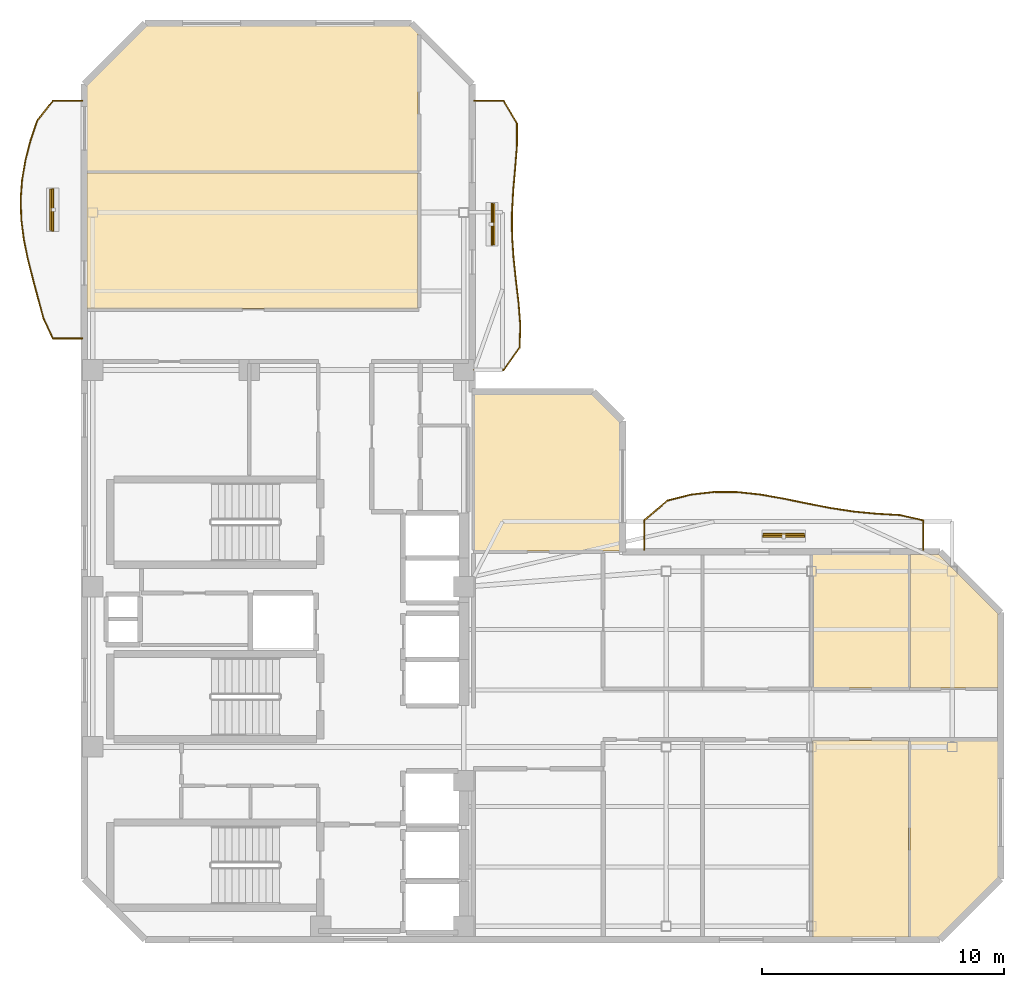
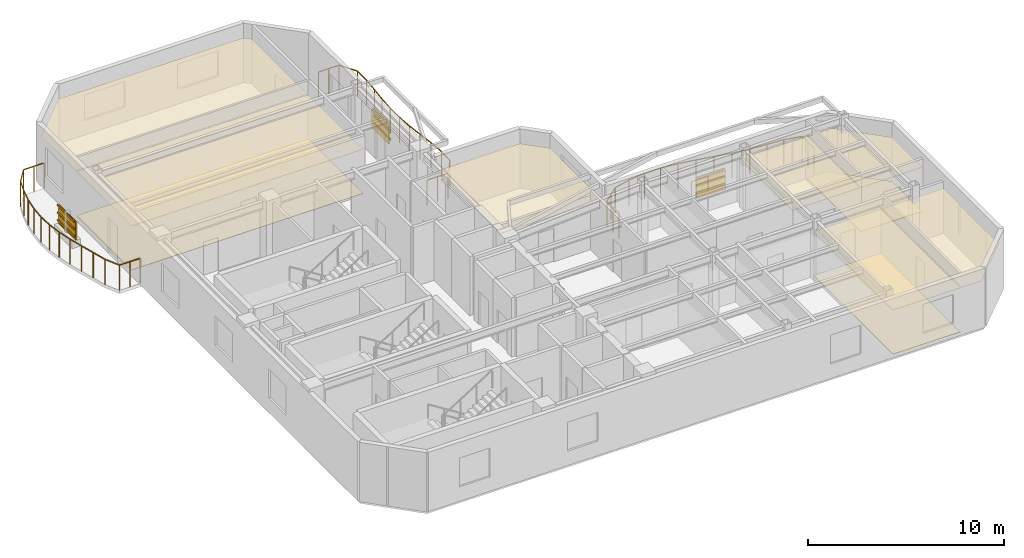
# One storey, part 8 of 8: 12 shading devices, 10 coverings, 3 railings.
"""IFC4 building model written with IfcOpenShell, lengths in metres."""

import ifcopenshell
import ifcopenshell.guid

model = None  # the IFC model being written
_history = None  # IfcOwnerHistory: only IFC2X3 demands one
_inside = {}  # id of a spatial element -> (the spatial element, [elements in it])
_under = {}  # id of a project, library or spatial element -> (it, [spatial elements below it])
_declared = {}  # id of a project -> (the project, [libraries it declares])
_typed = {}  # id of a type object -> (the type object, [elements of that type])
_made_of = {}  # id of a material, layer set ... -> (it, [elements and type objects made of it])


def new_model(schema):
    """Start an empty IFC model of exactly this schema.

    Asked for "IFC4X3", IfcOpenShell would pick the latest addendum, in which some entities
    have other attributes; the version numbers below select the first issue.
    IFC2X3 requires an IfcOwnerHistory on every rooted entity: one is made here for all.
    """
    global model, _history
    if schema == "IFC4X3":
        model = ifcopenshell.file(schema_version=(4, 3, 0, 0))
    else:
        model = ifcopenshell.file(schema=schema)
    _inside.clear()
    _under.clear()
    _declared.clear()
    _typed.clear()
    _made_of.clear()
    _history = None
    if model.schema == "IFC2X3":
        org = make("IfcOrganization", Name="unknown")
        user = make(
            "IfcPersonAndOrganization",
            ThePerson=make("IfcPerson", FamilyName="unknown"),
            TheOrganization=org,
        )
        app = make(
            "IfcApplication",
            ApplicationDeveloper=org,
            Version="unknown",
            ApplicationFullName="unknown",
            ApplicationIdentifier="unknown",
        )
        _history = make(
            "IfcOwnerHistory",
            OwningUser=user,
            OwningApplication=app,
            ChangeAction="ADDED",
            CreationDate=0,
        )
    return model


def make(cls, **values):
    """One entity of the class cls with the attributes given. An attribute that is None is left unset."""
    return model.create_entity(
        cls, **{name: value for name, value in values.items() if value is not None}
    )


def rooted(cls, **values):
    """An entity with a GlobalId (a new one), such as an element, a storey or a relation."""
    return make(cls, GlobalId=ifcopenshell.guid.new(), OwnerHistory=_history, **values)


def si_unit(unit_type, name, prefix=None):
    """IfcSIUnit, for example si_unit("LENGTHUNIT", "METRE", prefix="MILLI")."""
    return make("IfcSIUnit", UnitType=unit_type, Prefix=prefix, Name=name)


def assignment(units):
    """IfcUnitAssignment: the units of a project."""
    return None if units is None else make("IfcUnitAssignment", Units=units)


def point(xyz):
    """IfcCartesianPoint."""
    return None if xyz is None else make("IfcCartesianPoint", Coordinates=xyz)


def direction(xyz):
    """IfcDirection."""
    return None if xyz is None else make("IfcDirection", DirectionRatios=xyz)


def frame(location, z_axis=None, x_axis=None):
    """IfcAxis2Placement3D, a coordinate frame: its origin and axes. An axis left out is left unset."""
    return make(
        "IfcAxis2Placement3D",
        Location=point(location),
        Axis=direction(z_axis),
        RefDirection=direction(x_axis),
    )


def frame_2d(location, x_axis=None):
    """IfcAxis2Placement2D, a coordinate frame in the plane: its origin and x axis."""
    return make(
        "IfcAxis2Placement2D", Location=point(location), RefDirection=direction(x_axis)
    )


def origin():
    """The frame at (0, 0, 0) with its axes left unset."""
    return frame((0.0, 0.0, 0.0))


def origin_2d():
    """The frame at (0, 0) in the plane with its x axis left unset."""
    return frame_2d((0.0, 0.0))


def place(relative_to, where):
    """IfcLocalPlacement: puts the frame where relative to a parent placement (None: the world)."""
    return make(
        "IfcLocalPlacement", PlacementRelTo=relative_to, RelativePlacement=where
    )


def context(
    kind, dimensions, precision=None, world=None, true_north=None, identifier=None
):
    """IfcGeometricRepresentationContext, for example the 3D "Model" context."""
    return make(
        "IfcGeometricRepresentationContext",
        ContextIdentifier=identifier,
        ContextType=kind,
        CoordinateSpaceDimension=dimensions,
        Precision=precision,
        WorldCoordinateSystem=world,
        TrueNorth=true_north,
    )


def subcontext(parent, identifier, kind, view, scale=None):
    """IfcGeometricRepresentationSubContext, for example "Body" below "Model"."""
    return make(
        "IfcGeometricRepresentationSubContext",
        ContextIdentifier=identifier,
        ContextType=kind,
        ParentContext=parent,
        TargetScale=scale,
        TargetView=view,
    )


def project(units=None, contexts=None):
    """IfcProject with its units and contexts."""
    return rooted(
        "IfcProject",
        Name="project",
        RepresentationContexts=contexts,
        UnitsInContext=assignment(units),
    )


def spatial(cls, under=None, at=None, **own):
    """A site, building, storey or space (cls), placed at a placement, below another one or the project."""
    s = rooted(cls, ObjectPlacement=at, **own)
    if under is not None:
        _under.setdefault(under.id(), (under, []))[1].append(s)
    return s


def polyline(points):
    """IfcPolyline through the points."""
    return make("IfcPolyline", Points=[point(p) for p in points])


def profile(cls, at=None, kind="AREA", **sizes):
    """A parametric profile (cls). Its sizes go by their IFC names, for example OverallWidth=200.0."""
    return make(cls, ProfileType=kind, Position=at, **sizes)


def rectangle(**sizes):
    """IfcRectangleProfileDef."""
    return profile("IfcRectangleProfileDef", **sizes)


def outline(outer, holes=None, kind="AREA"):
    """IfcArbitraryClosedProfileDef: a profile drawn as a closed curve; with holes, ...WithVoids."""
    if holes is None:
        return make("IfcArbitraryClosedProfileDef", ProfileType=kind, OuterCurve=outer)
    return make(
        "IfcArbitraryProfileDefWithVoids",
        ProfileType=kind,
        OuterCurve=outer,
        InnerCurves=holes,
    )


def extrude(swept, where, along, depth):
    """IfcExtrudedAreaSolid: the profile swept, set in the frame where, extruded along a direction by depth."""
    return make(
        "IfcExtrudedAreaSolid",
        SweptArea=swept,
        Position=where,
        ExtrudedDirection=direction(along),
        Depth=depth,
    )


def shape(context_of_items, identifier, shape_type, items):
    """IfcShapeRepresentation: the items that make up one representation, for example the "Body"."""
    return make(
        "IfcShapeRepresentation",
        ContextOfItems=context_of_items,
        RepresentationIdentifier=identifier,
        RepresentationType=shape_type,
        Items=items,
    )


def material(Name=None, Category=None):
    """IfcMaterial."""
    return make("IfcMaterial", Name=Name, Category=Category)


def layer(
    of_material, thickness, ventilated=None, Name=None, Category=None, Priority=None
):
    """IfcMaterialLayer: one layer of a wall or slab, of a material (None: an air gap)."""
    return make(
        "IfcMaterialLayer",
        Material=of_material,
        LayerThickness=thickness,
        IsVentilated=ventilated,
        Name=Name,
        Category=Category,
        Priority=Priority,
    )


def layer_set(layers, Name=None):
    """IfcMaterialLayerSet."""
    return make("IfcMaterialLayerSet", MaterialLayers=layers, LayerSetName=Name)


def material_profile(
    of_material, cross_section, Name=None, Category=None, Priority=None
):
    """IfcMaterialProfile: a cross section and its material."""
    return make(
        "IfcMaterialProfile",
        Name=Name,
        Material=of_material,
        Profile=cross_section,
        Priority=Priority,
        Category=Category,
    )


def profile_set(profiles, Name=None, composite=None):
    """IfcMaterialProfileSet."""
    return make(
        "IfcMaterialProfileSet",
        Name=Name,
        MaterialProfiles=profiles,
        CompositeProfile=composite,
    )


def made_of(thing, what):
    """Note that an element or type object is made of a material, layer set ...; save() writes the relation."""
    if what is not None:
        _made_of.setdefault(what.id(), (what, []))[1].append(thing)
    return thing


def type_object(cls, material=None, **own):
    """A type object (cls), such as IfcWallType, which elements share."""
    return made_of(rooted(cls, **own), material)


def element(
    cls,
    number,
    at=None,
    inside=None,
    cuts=None,
    type_object=None,
    material=None,
    context=None,
    identifier="Body",
    shape_type=None,
    held_by="IfcProductDefinitionShape",
    body=None,
    shapes=None,
    **own,
):
    """One element of the class cls, such as IfcWall. Its Tag is "e" and its number.

    at: its placement. inside: the storey or other place that contains it. cuts: it is an
    opening in that element (IfcRelVoidsElement). A single representation is given by context,
    identifier, shape_type and body (its items); several are given by shapes. held_by: the class
    of the entity that holds the representations. save() writes the other relations.
    """
    e = rooted(cls, Tag="e%d" % number, ObjectPlacement=at, **own)
    if body is not None:
        shapes = [shape(context, identifier, shape_type, body)]
    if shapes is not None:
        e.Representation = make(held_by, Representations=shapes)
    if inside is not None:
        _inside.setdefault(inside.id(), (inside, []))[1].append(e)
    if cuts is not None:
        rooted(
            "IfcRelVoidsElement", RelatingBuildingElement=cuts, RelatedOpeningElement=e
        )
    if type_object is not None:
        _typed.setdefault(type_object.id(), (type_object, []))[1].append(e)
    return made_of(e, material)


def aggregate(whole, parts):
    """IfcRelAggregates: a whole, such as a stair, and the parts it consists of."""
    return rooted("IfcRelAggregates", RelatingObject=whole, RelatedObjects=parts)


def save(model, path):
    """Write the relations noted so far, then the file.

    IfcRelAggregates (storeys below a building ...), IfcRelContainedInSpatialStructure (elements
    in a storey), IfcRelDefinesByType, IfcRelAssociatesMaterial and IfcRelDeclares: one each for
    every whole, place, type object, material and project.
    """
    for whole, parts in _under.values():
        aggregate(whole, parts)
    for where, things in _inside.values():
        rooted(
            "IfcRelContainedInSpatialStructure",
            RelatedElements=things,
            RelatingStructure=where,
        )
    for kind, things in _typed.values():
        rooted("IfcRelDefinesByType", RelatedObjects=things, RelatingType=kind)
    for what, things in _made_of.values():
        rooted("IfcRelAssociatesMaterial", RelatedObjects=things, RelatingMaterial=what)
    for by, libraries in _declared.values():
        rooted("IfcRelDeclares", RelatingContext=by, RelatedDefinitions=libraries)
    model.write(path)


model = new_model("IFC4")

# Units and contexts
model_context = context("Model", 3, precision=1e-05, world=origin(), true_north=direction((0.0, 1.0)))
body_context = subcontext(model_context, "Body", "Model", "MODEL_VIEW")
ifc_project = project(units=[si_unit("LENGTHUNIT", "METRE"), si_unit("AREAUNIT", "SQUARE_METRE"), si_unit("VOLUMEUNIT", "CUBIC_METRE"), si_unit("PLANEANGLEUNIT", "RADIAN"), si_unit("MASSUNIT", "GRAM", prefix="KILO")], contexts=[model_context])

# Site, building, storey
site_placement = place(None, origin())
site = spatial("IfcSite", under=ifc_project, at=site_placement, CompositionType="ELEMENT")
building_placement = place(site_placement, origin())
building = spatial("IfcBuilding", under=site, at=building_placement, Name="Mawjaban Terraces University", CompositionType="ELEMENT")
storey_placement = place(building_placement, frame((0.0, 0.0, 271.60009765625)))
storey = spatial("IfcBuildingStorey", under=building, at=storey_placement, Name="L66", CompositionType="ELEMENT", Elevation=271.60009765625)

# Coverings
ifc_material_1 = material(Name="Acoustic mineral fibre ceiling tile", Category="masonry")
ifc_layer_1 = layer(ifc_material_1, 0.02001953125)
ifc_layer_set_1 = layer_set([ifc_layer_1], Name="Acoustic mineral fibre ceiling tile")
covering_type_1 = type_object("IfcCoveringType", Name="AcousticMineralCeiling_20", PredefinedType="CEILING", material=ifc_layer_set_1)
covering_1_placement = place(storey_placement, frame((0.0, 0.0, 2.75)))
element("IfcCovering", 1, at=covering_1_placement, inside=storey, type_object=covering_type_1, Name="L66 Reading Salon 6 Acoustic Ceiling", PredefinedType="CEILING", context=body_context, shape_type="SweptSolid", body=[
    extrude(outline(polyline([(52.030029296875, 0.114990234375), (55.998046875, 0.114990234375), (55.998046875, 8.219970703125), (52.030029296875, 8.219970703125), (52.030029296875, 0.114990234375)])), origin(), (0.0, 0.0, 1.0), 0.02001953125),
])
covering_2_placement = place(storey_placement, frame((0.0, 0.0, 2.75)))
element("IfcCovering", 2, at=covering_2_placement, inside=storey, type_object=covering_type_1, Name="L66 Academic Counseling Room 7 Acoustic Ceiling", PredefinedType="CEILING", context=body_context, shape_type="SweptSolid", body=[
    extrude(outline(polyline([(55.998046875, 15.885009765625), (52.030029296875, 15.885009765625), (52.030029296875, 10.3798828125), (55.998046875, 10.3798828125), (55.998046875, 15.885009765625)])), origin(), (0.0, 0.0, 1.0), 0.02001953125),
])
covering_3_placement = place(storey_placement, frame((0.0, 0.0, 2.75)))
element("IfcCovering", 3, at=covering_3_placement, inside=storey, type_object=covering_type_1, Name="L66 Academic Counseling Room 8 Acoustic Ceiling", PredefinedType="CEILING", context=body_context, shape_type="SweptSolid", body=[
    extrude(outline(polyline([(56.05810546875, 0.114990234375), (57.2529296875, 0.114990234375), (59.68505859375, 2.547119140625), (59.68505859375, 8.219970703125), (56.05810546875, 8.219970703125), (56.05810546875, 0.114990234375)])), origin(), (0.0, 0.0, 1.0), 0.02001953125),
])
covering_4_placement = place(storey_placement, frame((0.0, 0.0, 2.75)))
element("IfcCovering", 4, at=covering_4_placement, inside=storey, type_object=covering_type_1, Name="L66 Classroom 9 Acoustic Ceiling", PredefinedType="CEILING", context=body_context, shape_type="SweptSolid", body=[
    extrude(outline(polyline([(59.68505859375, 10.3798828125), (59.68505859375, 13.452880859375), (57.2529296875, 15.885009765625), (56.05810546875, 15.885009765625), (56.05810546875, 10.3798828125), (59.68505859375, 10.3798828125)])), origin(), (0.0, 0.0, 1.0), 0.02001953125),
])
covering_5_placement = place(storey_placement, frame((0.0, 0.0, 2.75)))
element("IfcCovering", 5, at=covering_5_placement, inside=storey, type_object=covering_type_1, Name="L66 Seminar Room 10 Acoustic Ceiling", PredefinedType="CEILING", context=body_context, shape_type="SweptSolid", body=[
    extrude(outline(polyline([(22.114990234375, 31.634033203125), (22.114990234375, 26.030029296875), (35.77001953125, 26.030029296875), (35.77001953125, 31.634033203125), (22.114990234375, 31.634033203125)])), origin(), (0.0, 0.0, 1.0), 0.02001953125),
])
covering_6_placement = place(storey_placement, frame((0.0, 0.0, 2.75)))
element("IfcCovering", 6, at=covering_6_placement, inside=storey, type_object=covering_type_1, Name="L66 Faculty Office 11 Acoustic Ceiling", PredefinedType="CEILING", context=body_context, shape_type="SweptSolid", body=[
    extrude(outline(polyline([(35.77001953125, 37.367919921875), (35.452880859375, 37.68505859375), (24.547119140625, 37.68505859375), (22.114990234375, 35.2529296875), (22.114990234375, 31.694091796875), (35.77001953125, 31.694091796875), (35.77001953125, 37.367919921875)])), origin(), (0.0, 0.0, 1.0), 0.02001953125),
])
covering_7_placement = place(storey_placement, frame((0.0, 0.0, 2.75)))
element("IfcCovering", 7, at=covering_7_placement, inside=storey, type_object=covering_type_1, Name="L66 Terrace Collaborative Study Room Acoustic Ceiling", PredefinedType="CEILING", context=body_context, shape_type="SweptSolid", body=[
    extrude(outline(polyline([(44.0849609375, 16.030029296875), (44.0849609375, 21.35302734375), (42.952880859375, 22.485107421875), (38.080078125, 22.485107421875), (38.080078125, 16.030029296875), (44.0849609375, 16.030029296875)])), origin(), (0.0, 0.0, 1.0), 0.02001953125),
])

# Railings
ifc_material_2 = material(Name="Galvanised powder-coated steel S355", Category="steel")
railing_type = type_object("IfcRailingType", Name="BalconyBalustrade_1600", PredefinedType="BALUSTRADE", material=ifc_material_2)
railing_1_placement = place(storey_placement, frame((21.919921875, 24.800048828125, 0.0)))
element("IfcRailing", 8, at=railing_1_placement, inside=storey, type_object=railing_type, Name="L66 Balcony Guardrail west", PredefinedType="BALUSTRADE", context=body_context, shape_type="SweptSolid", body=[
    extrude(rectangle(XDim=0.048095703125, YDim=0.048095703125, at=origin_2d()), frame((0.0, 0.0, 1.576171875), z_axis=(-1.0, 0.0, 0.0), x_axis=(0.0, -1.0, 0.0)), (0.0, 0.0, 1.0), 1.219970703125),
    extrude(rectangle(XDim=0.048095703125, YDim=0.048095703125, at=origin_2d()), frame((-1.219970703125, 0.0, 1.576171875), z_axis=(-0.425445319845, 0.904984132359, 0.0), x_axis=(-0.904984132359, -0.425445319845, 0.0)), (0.0, 0.0, 1.0), 0.902587890625),
    extrude(rectangle(XDim=0.048095703125, YDim=0.048095703125, at=origin_2d()), frame((-1.60400390625, 0.81689453125, 1.576171875), z_axis=(-0.261308992065, 0.965255204941, 0.0), x_axis=(-0.965255204941, -0.261308992065, 0.0)), (0.0, 0.0, 1.0), 0.845458984375),
    extrude(rectangle(XDim=0.048095703125, YDim=0.048095703125, at=origin_2d()), frame((-1.824951171875, 1.633056640625, 1.576171875), z_axis=(-0.261090681954, 0.965314278252, 0.0), x_axis=(-0.965314278252, -0.261090681954, 0.0)), (0.0, 0.0, 1.0), 0.84619140625),
    extrude(rectangle(XDim=0.048095703125, YDim=0.048095703125, at=origin_2d()), frame((-2.0458984375, 2.449951171875, 1.576171875), z_axis=(-0.244580644679, 0.969628953904, 0.0), x_axis=(-0.969628953904, -0.244580644679, 0.0)), (0.0, 0.0, 1.0), 0.842529296875),
    extrude(rectangle(XDim=0.048095703125, YDim=0.048095703125, at=origin_2d()), frame((-2.251953125, 3.266845703125, 1.576171875), z_axis=(-0.200453772831, 0.979703161656, 0.0), x_axis=(-0.979703161656, -0.200453772831, 0.0)), (0.0, 0.0, 1.0), 0.8330078125),
    extrude(rectangle(XDim=0.048095703125, YDim=0.048095703125, at=origin_2d()), frame((-2.4189453125, 4.0830078125, 1.576171875), z_axis=(-0.126296715249, 0.99199250991, 0.0), x_axis=(-0.99199250991, -0.126296715249, 0.0)), (0.0, 0.0, 1.0), 0.823486328125),
    extrude(rectangle(XDim=0.048095703125, YDim=0.048095703125, at=origin_2d()), frame((-2.52294921875, 4.89990234375, 1.576171875), z_axis=(-0.034338864189, 0.999410247299, 0.0), x_axis=(-0.999410247299, -0.034338864189, 0.0)), (0.0, 0.0, 1.0), 0.817626953125),
    extrude(rectangle(XDim=0.048095703125, YDim=0.048095703125, at=origin_2d()), frame((-2.551025390625, 5.717041015625, 1.576171875), z_axis=(0.071034940463, 0.997473827844, 0.0), x_axis=(-0.997473827844, 0.071034940463, 0.0)), (0.0, 0.0, 1.0), 0.81787109375),
    extrude(rectangle(XDim=0.048095703125, YDim=0.048095703125, at=origin_2d()), frame((-2.492919921875, 6.532958984375, 1.576171875), z_axis=(0.167647038279, 0.985847082745, 0.0), x_axis=(-0.985847082745, 0.167647038279, 0.0)), (0.0, 0.0, 1.0), 0.82861328125),
    extrude(rectangle(XDim=0.048095703125, YDim=0.048095703125, at=origin_2d()), frame((-2.35400390625, 7.349853515625, 1.576171875), z_axis=(0.248862668793, 0.968538781919, 0.0), x_axis=(-0.968538781919, 0.248862668793, 0.0)), (0.0, 0.0, 1.0), 0.84375),
    extrude(rectangle(XDim=0.048095703125, YDim=0.048095703125, at=origin_2d()), frame((-2.14404296875, 8.1669921875, 1.576171875), z_axis=(0.320560963351, 0.947227886401, 0.0), x_axis=(-0.947227886401, 0.320560963351, 0.0)), (0.0, 0.0, 1.0), 0.861328125),
    extrude(rectangle(XDim=0.048095703125, YDim=0.048095703125, at=origin_2d()), frame((-1.867919921875, 8.98291015625, 1.576171875), z_axis=(0.621320374913, 0.783556629554, 0.0), x_axis=(-0.783556629554, 0.621320374913, 0.0)), (0.0, 0.0, 1.0), 1.04296875),
    extrude(rectangle(XDim=0.048095703125, YDim=0.048095703125, at=origin_2d()), frame((-1.219970703125, 9.800048828125, 1.576171875), z_axis=(1.0, 0.0, 0.0), x_axis=(0.0, 1.0, 0.0)), (0.0, 0.0, 1.0), 1.219970703125),
    extrude(rectangle(XDim=0.0419921875, YDim=0.0419921875, at=origin_2d()), origin(), (0.0, 0.0, 1.0), 1.552001953125),
    extrude(rectangle(XDim=0.0419921875, YDim=0.0419921875, at=origin_2d()), frame((-0.60986328125, 0.0, 0.0)), (0.0, 0.0, 1.0), 1.552001953125),
    extrude(rectangle(XDim=0.0419921875, YDim=0.0419921875, at=origin_2d()), frame((-1.219970703125, 0.0, 0.0)), (0.0, 0.0, 1.0), 1.552001953125),
    extrude(rectangle(XDim=0.0419921875, YDim=0.0419921875, at=origin_2d()), frame((-1.60400390625, 0.81689453125, 0.0)), (0.0, 0.0, 1.0), 1.552001953125),
    extrude(rectangle(XDim=0.0419921875, YDim=0.0419921875, at=origin_2d()), frame((-1.824951171875, 1.633056640625, 0.0)), (0.0, 0.0, 1.0), 1.552001953125),
    extrude(rectangle(XDim=0.0419921875, YDim=0.0419921875, at=origin_2d()), frame((-2.0458984375, 2.449951171875, 0.0)), (0.0, 0.0, 1.0), 1.552001953125),
    extrude(rectangle(XDim=0.0419921875, YDim=0.0419921875, at=origin_2d()), frame((-2.251953125, 3.266845703125, 0.0)), (0.0, 0.0, 1.0), 1.552001953125),
    extrude(rectangle(XDim=0.0419921875, YDim=0.0419921875, at=origin_2d()), frame((-2.4189453125, 4.0830078125, 0.0)), (0.0, 0.0, 1.0), 1.552001953125),
    extrude(rectangle(XDim=0.0419921875, YDim=0.0419921875, at=origin_2d()), frame((-2.52294921875, 4.89990234375, 0.0)), (0.0, 0.0, 1.0), 1.552001953125),
    extrude(rectangle(XDim=0.0419921875, YDim=0.0419921875, at=origin_2d()), frame((-2.551025390625, 5.717041015625, 0.0)), (0.0, 0.0, 1.0), 1.552001953125),
    extrude(rectangle(XDim=0.0419921875, YDim=0.0419921875, at=origin_2d()), frame((-2.492919921875, 6.532958984375, 0.0)), (0.0, 0.0, 1.0), 1.552001953125),
    extrude(rectangle(XDim=0.0419921875, YDim=0.0419921875, at=origin_2d()), frame((-2.35400390625, 7.349853515625, 0.0)), (0.0, 0.0, 1.0), 1.552001953125),
    extrude(rectangle(XDim=0.0419921875, YDim=0.0419921875, at=origin_2d()), frame((-2.14404296875, 8.1669921875, 0.0)), (0.0, 0.0, 1.0), 1.552001953125),
    extrude(rectangle(XDim=0.0419921875, YDim=0.0419921875, at=origin_2d()), frame((-1.867919921875, 8.98291015625, 0.0)), (0.0, 0.0, 1.0), 1.552001953125),
    extrude(rectangle(XDim=0.0419921875, YDim=0.0419921875, at=origin_2d()), frame((-1.219970703125, 9.800048828125, 0.0)), (0.0, 0.0, 1.0), 1.552001953125),
    extrude(rectangle(XDim=0.0419921875, YDim=0.0419921875, at=origin_2d()), frame((-0.60986328125, 9.800048828125, 0.0)), (0.0, 0.0, 1.0), 1.552001953125),
    extrude(rectangle(XDim=0.0419921875, YDim=0.0419921875, at=origin_2d()), frame((0.0, 9.800048828125, 0.0)), (0.0, 0.0, 1.0), 1.552001953125),
])
railing_2_placement = place(storey_placement, frame((45.10009765625, 16.080078125, 0.0)))
element("IfcRailing", 9, at=railing_2_placement, inside=storey, type_object=railing_type, Name="L66 Balcony Guardrail inner_north", PredefinedType="BALUSTRADE", context=body_context, shape_type="SweptSolid", body=[
    extrude(rectangle(XDim=0.048095703125, YDim=0.048095703125, at=origin_2d()), frame((0.0, 0.0, 1.576171875), z_axis=(0.0, 1.0, 0.0), x_axis=(-1.0, 0.0, 0.0)), (0.0, 0.0, 1.0), 1.219970703125),
    extrude(rectangle(XDim=0.048095703125, YDim=0.048095703125, at=origin_2d()), frame((0.0, 1.219970703125, 1.576171875), z_axis=(0.761690213791, 0.647941369427, 0.0), x_axis=(-0.647941369427, 0.761690213791, 0.0)), (0.0, 0.0, 1.0), 1.2578125),
    extrude(rectangle(XDim=0.048095703125, YDim=0.048095703125, at=origin_2d()), frame((0.9580078125, 2.034912109375, 1.576171875), z_axis=(0.96914755637, 0.246481264973, 0.0), x_axis=(-0.246481264973, 0.96914755637, 0.0)), (0.0, 0.0, 1.0), 0.989501953125),
    extrude(rectangle(XDim=0.048095703125, YDim=0.048095703125, at=origin_2d()), frame((1.9169921875, 2.27880859375, 1.576171875), z_axis=(0.993344476803, 0.115181380465, 0.0), x_axis=(-0.115181380465, 0.993344476803, 0.0)), (0.0, 0.0, 1.0), 0.96435546875),
    extrude(rectangle(XDim=0.048095703125, YDim=0.048095703125, at=origin_2d()), frame((2.875, 2.389892578125, 1.576171875), z_axis=(0.999981296525, -0.006116093557, 0.0), x_axis=(0.006116093557, 0.999981296525, 0.0)), (0.0, 0.0, 1.0), 0.9580078125),
    extrude(rectangle(XDim=0.048095703125, YDim=0.048095703125, at=origin_2d()), frame((3.8330078125, 2.384033203125, 1.576171875), z_axis=(0.994385513116, -0.105818010306, 0.0), x_axis=(0.105818010306, 0.994385513116, 0.0)), (0.0, 0.0, 1.0), 0.96435546875),
    extrude(rectangle(XDim=0.048095703125, YDim=0.048095703125, at=origin_2d()), frame((4.7919921875, 2.281982421875, 1.576171875), z_axis=(0.984803764455, -0.173670796382, 0.0), x_axis=(0.173670796382, 0.984803764455, 0.0)), (0.0, 0.0, 1.0), 0.972900390625),
    extrude(rectangle(XDim=0.048095703125, YDim=0.048095703125, at=origin_2d()), frame((5.75, 2.113037109375, 1.576171875), z_axis=(0.979500522335, -0.201441621184, 0.0), x_axis=(0.201441621184, 0.979500522335, 0.0)), (0.0, 0.0, 1.0), 0.97802734375),
    extrude(rectangle(XDim=0.048095703125, YDim=0.048095703125, at=origin_2d()), frame((6.7080078125, 1.916015625, 1.576171875), z_axis=(0.98151120644, -0.191404680278, 0.0), x_axis=(0.191404680278, 0.98151120644, 0.0)), (0.0, 0.0, 1.0), 0.97705078125),
    extrude(rectangle(XDim=0.048095703125, YDim=0.048095703125, at=origin_2d()), frame((7.6669921875, 1.72900390625, 1.576171875), z_axis=(0.988586231557, -0.150656107663, 0.0), x_axis=(0.150656107663, 0.988586231557, 0.0)), (0.0, 0.0, 1.0), 0.968994140625),
    extrude(rectangle(XDim=0.048095703125, YDim=0.048095703125, at=origin_2d()), frame((8.625, 1.5830078125, 1.576171875), z_axis=(0.99531936855, -0.096640336243, 0.0), x_axis=(0.096640336243, 0.99531936855, 0.0)), (0.0, 0.0, 1.0), 0.96240234375),
    extrude(rectangle(XDim=0.048095703125, YDim=0.048095703125, at=origin_2d()), frame((9.5830078125, 1.489990234375, 1.576171875), z_axis=(0.998477512205, -0.055160290262, 0.0), x_axis=(0.055160290262, 0.998477512205, 0.0)), (0.0, 0.0, 1.0), 0.96044921875),
    extrude(rectangle(XDim=0.048095703125, YDim=0.048095703125, at=origin_2d()), frame((10.5419921875, 1.43701171875, 1.576171875), z_axis=(0.975284000494, -0.220955014383, 0.0), x_axis=(0.220955014383, 0.975284000494, 0.0)), (0.0, 0.0, 1.0), 0.982177734375),
    extrude(rectangle(XDim=0.048095703125, YDim=0.048095703125, at=origin_2d()), frame((11.5, 1.219970703125, 1.576171875), z_axis=(0.0, -1.0, 0.0), x_axis=(1.0, 0.0, 0.0)), (0.0, 0.0, 1.0), 1.219970703125),
    extrude(rectangle(XDim=0.0419921875, YDim=0.0419921875, at=origin_2d()), origin(), (0.0, 0.0, 1.0), 1.552001953125),
    extrude(rectangle(XDim=0.0419921875, YDim=0.0419921875, at=origin_2d()), frame((0.0, 0.60986328125, 0.0)), (0.0, 0.0, 1.0), 1.552001953125),
    extrude(rectangle(XDim=0.0419921875, YDim=0.0419921875, at=origin_2d()), frame((0.0, 1.219970703125, 0.0)), (0.0, 0.0, 1.0), 1.552001953125),
    extrude(rectangle(XDim=0.0419921875, YDim=0.0419921875, at=origin_2d()), frame((0.47900390625, 1.62744140625, 0.0)), (0.0, 0.0, 1.0), 1.552001953125),
    extrude(rectangle(XDim=0.0419921875, YDim=0.0419921875, at=origin_2d()), frame((0.9580078125, 2.034912109375, 0.0)), (0.0, 0.0, 1.0), 1.552001953125),
    extrude(rectangle(XDim=0.0419921875, YDim=0.0419921875, at=origin_2d()), frame((1.9169921875, 2.27880859375, 0.0)), (0.0, 0.0, 1.0), 1.552001953125),
    extrude(rectangle(XDim=0.0419921875, YDim=0.0419921875, at=origin_2d()), frame((2.875, 2.389892578125, 0.0)), (0.0, 0.0, 1.0), 1.552001953125),
    extrude(rectangle(XDim=0.0419921875, YDim=0.0419921875, at=origin_2d()), frame((3.8330078125, 2.384033203125, 0.0)), (0.0, 0.0, 1.0), 1.552001953125),
    extrude(rectangle(XDim=0.0419921875, YDim=0.0419921875, at=origin_2d()), frame((4.7919921875, 2.281982421875, 0.0)), (0.0, 0.0, 1.0), 1.552001953125),
    extrude(rectangle(XDim=0.0419921875, YDim=0.0419921875, at=origin_2d()), frame((5.75, 2.113037109375, 0.0)), (0.0, 0.0, 1.0), 1.552001953125),
    extrude(rectangle(XDim=0.0419921875, YDim=0.0419921875, at=origin_2d()), frame((6.7080078125, 1.916015625, 0.0)), (0.0, 0.0, 1.0), 1.552001953125),
    extrude(rectangle(XDim=0.0419921875, YDim=0.0419921875, at=origin_2d()), frame((7.6669921875, 1.72900390625, 0.0)), (0.0, 0.0, 1.0), 1.552001953125),
    extrude(rectangle(XDim=0.0419921875, YDim=0.0419921875, at=origin_2d()), frame((8.625, 1.5830078125, 0.0)), (0.0, 0.0, 1.0), 1.552001953125),
    extrude(rectangle(XDim=0.0419921875, YDim=0.0419921875, at=origin_2d()), frame((9.5830078125, 1.489990234375, 0.0)), (0.0, 0.0, 1.0), 1.552001953125),
    extrude(rectangle(XDim=0.0419921875, YDim=0.0419921875, at=origin_2d()), frame((10.5419921875, 1.43701171875, 0.0)), (0.0, 0.0, 1.0), 1.552001953125),
    extrude(rectangle(XDim=0.0419921875, YDim=0.0419921875, at=origin_2d()), frame((11.5, 1.219970703125, 0.0)), (0.0, 0.0, 1.0), 1.552001953125),
    extrude(rectangle(XDim=0.0419921875, YDim=0.0419921875, at=origin_2d()), frame((11.5, 0.60986328125, 0.0)), (0.0, 0.0, 1.0), 1.552001953125),
    extrude(rectangle(XDim=0.0419921875, YDim=0.0419921875, at=origin_2d()), frame((11.5, 0.0, 0.0)), (0.0, 0.0, 1.0), 1.552001953125),
])
railing_3_placement = place(storey_placement, frame((38.080078125, 23.5, 0.0)))
element("IfcRailing", 10, at=railing_3_placement, inside=storey, type_object=railing_type, Name="L66 Balcony Guardrail inner_east", PredefinedType="BALUSTRADE", context=body_context, shape_type="SweptSolid", body=[
    extrude(rectangle(XDim=0.048095703125, YDim=0.048095703125, at=origin_2d()), frame((0.0, 0.0, 1.576171875), z_axis=(1.0, 0.0, 0.0), x_axis=(0.0, 1.0, 0.0)), (0.0, 0.0, 1.0), 1.219970703125),
    extrude(rectangle(XDim=0.048095703125, YDim=0.048095703125, at=origin_2d()), frame((1.219970703125, 0.0, 1.576171875), z_axis=(0.57789183493, 0.816113366586, 0.0), x_axis=(-0.816113366586, 0.57789183493, 0.0)), (0.0, 0.0, 1.0), 1.133544921875),
    extrude(rectangle(XDim=0.048095703125, YDim=0.048095703125, at=origin_2d()), frame((1.875, 0.925048828125, 1.576171875), z_axis=(0.032445300094, 0.999473512656, 0.0), x_axis=(-0.999473512656, 0.032445300094, 0.0)), (0.0, 0.0, 1.0), 0.925537109375),
    extrude(rectangle(XDim=0.048095703125, YDim=0.048095703125, at=origin_2d()), frame((1.905029296875, 1.85009765625, 1.576171875), z_axis=(-0.077642416843, 0.996981271192, 0.0), x_axis=(-0.996981271192, -0.077642416843, 0.0)), (0.0, 0.0, 1.0), 0.927490234375),
    extrude(rectangle(XDim=0.048095703125, YDim=0.048095703125, at=origin_2d()), frame((1.8330078125, 2.77490234375, 1.576171875), z_axis=(-0.11716059721, 0.99311298172, 0.0), x_axis=(-0.99311298172, -0.11716059721, 0.0)), (0.0, 0.0, 1.0), 0.931396484375),
    extrude(rectangle(XDim=0.048095703125, YDim=0.048095703125, at=origin_2d()), frame((1.723876953125, 3.699951171875, 1.576171875), z_axis=(-0.106282937643, 0.994335927726, 0.0), x_axis=(-0.994335927726, -0.106282937643, 0.0)), (0.0, 0.0, 1.0), 0.930419921875),
    extrude(rectangle(XDim=0.048095703125, YDim=0.048095703125, at=origin_2d()), frame((1.625, 4.625, 1.576171875), z_axis=(-0.064788376989, 0.997899026058, 0.0), x_axis=(-0.997899026058, -0.064788376989, 0.0)), (0.0, 0.0, 1.0), 0.927001953125),
    extrude(rectangle(XDim=0.048095703125, YDim=0.048095703125, at=origin_2d()), frame((1.56494140625, 5.550048828125, 1.576171875), z_axis=(-0.003167046666, 0.999994984895, 0.0), x_axis=(-0.999994984895, -0.003167046666, 0.0)), (0.0, 0.0, 1.0), 0.925048828125),
    extrude(rectangle(XDim=0.048095703125, YDim=0.048095703125, at=origin_2d()), frame((1.56201171875, 6.47509765625, 1.576171875), z_axis=(0.053776349805, 0.998553005204, 0.0), x_axis=(-0.998553005204, 0.053776349805, 0.0)), (0.0, 0.0, 1.0), 0.926025390625),
    extrude(rectangle(XDim=0.048095703125, YDim=0.048095703125, at=origin_2d()), frame((1.61181640625, 7.39990234375, 1.576171875), z_axis=(0.0872876237, 0.996183151207, 0.0), x_axis=(-0.996183151207, 0.0872876237, 0.0)), (0.0, 0.0, 1.0), 0.9287109375),
    extrude(rectangle(XDim=0.048095703125, YDim=0.048095703125, at=origin_2d()), frame((1.69287109375, 8.324951171875, 1.576171875), z_axis=(0.079713853163, 0.996817787569, 0.0), x_axis=(-0.996817787569, 0.079713853163, 0.0)), (0.0, 0.0, 1.0), 0.927978515625),
    extrude(rectangle(XDim=0.048095703125, YDim=0.048095703125, at=origin_2d()), frame((1.766845703125, 9.25, 1.576171875), z_axis=(0.0, 1.0, 0.0), x_axis=(-1.0, 0.0, 0.0)), (0.0, 0.0, 1.0), 0.925048828125),
    extrude(rectangle(XDim=0.048095703125, YDim=0.048095703125, at=origin_2d()), frame((1.766845703125, 10.175048828125, 1.576171875), z_axis=(-0.50890534756, 0.860822482992, 0.0), x_axis=(-0.860822482992, -0.50890534756, 0.0)), (0.0, 0.0, 1.0), 1.07470703125),
    extrude(rectangle(XDim=0.048095703125, YDim=0.048095703125, at=origin_2d()), frame((1.219970703125, 11.10009765625, 1.576171875), z_axis=(-1.0, 0.0, 0.0), x_axis=(0.0, -1.0, 0.0)), (0.0, 0.0, 1.0), 1.219970703125),
    extrude(rectangle(XDim=0.0419921875, YDim=0.0419921875, at=origin_2d()), origin(), (0.0, 0.0, 1.0), 1.552001953125),
    extrude(rectangle(XDim=0.0419921875, YDim=0.0419921875, at=origin_2d()), frame((0.60986328125, 0.0, 0.0)), (0.0, 0.0, 1.0), 1.552001953125),
    extrude(rectangle(XDim=0.0419921875, YDim=0.0419921875, at=origin_2d()), frame((1.219970703125, 0.0, 0.0)), (0.0, 0.0, 1.0), 1.552001953125),
    extrude(rectangle(XDim=0.0419921875, YDim=0.0419921875, at=origin_2d()), frame((1.875, 0.925048828125, 0.0)), (0.0, 0.0, 1.0), 1.552001953125),
    extrude(rectangle(XDim=0.0419921875, YDim=0.0419921875, at=origin_2d()), frame((1.905029296875, 1.85009765625, 0.0)), (0.0, 0.0, 1.0), 1.552001953125),
    extrude(rectangle(XDim=0.0419921875, YDim=0.0419921875, at=origin_2d()), frame((1.8330078125, 2.77490234375, 0.0)), (0.0, 0.0, 1.0), 1.552001953125),
    extrude(rectangle(XDim=0.0419921875, YDim=0.0419921875, at=origin_2d()), frame((1.723876953125, 3.699951171875, 0.0)), (0.0, 0.0, 1.0), 1.552001953125),
    extrude(rectangle(XDim=0.0419921875, YDim=0.0419921875, at=origin_2d()), frame((1.625, 4.625, 0.0)), (0.0, 0.0, 1.0), 1.552001953125),
    extrude(rectangle(XDim=0.0419921875, YDim=0.0419921875, at=origin_2d()), frame((1.56494140625, 5.550048828125, 0.0)), (0.0, 0.0, 1.0), 1.552001953125),
    extrude(rectangle(XDim=0.0419921875, YDim=0.0419921875, at=origin_2d()), frame((1.56201171875, 6.47509765625, 0.0)), (0.0, 0.0, 1.0), 1.552001953125),
    extrude(rectangle(XDim=0.0419921875, YDim=0.0419921875, at=origin_2d()), frame((1.61181640625, 7.39990234375, 0.0)), (0.0, 0.0, 1.0), 1.552001953125),
    extrude(rectangle(XDim=0.0419921875, YDim=0.0419921875, at=origin_2d()), frame((1.69287109375, 8.324951171875, 0.0)), (0.0, 0.0, 1.0), 1.552001953125),
    extrude(rectangle(XDim=0.0419921875, YDim=0.0419921875, at=origin_2d()), frame((1.766845703125, 9.25, 0.0)), (0.0, 0.0, 1.0), 1.552001953125),
    extrude(rectangle(XDim=0.0419921875, YDim=0.0419921875, at=origin_2d()), frame((1.766845703125, 10.175048828125, 0.0)), (0.0, 0.0, 1.0), 1.552001953125),
    extrude(rectangle(XDim=0.0419921875, YDim=0.0419921875, at=origin_2d()), frame((1.219970703125, 11.10009765625, 0.0)), (0.0, 0.0, 1.0), 1.552001953125),
    extrude(rectangle(XDim=0.0419921875, YDim=0.0419921875, at=origin_2d()), frame((0.60986328125, 11.10009765625, 0.0)), (0.0, 0.0, 1.0), 1.552001953125),
    extrude(rectangle(XDim=0.0419921875, YDim=0.0419921875, at=origin_2d()), frame((0.0, 11.10009765625, 0.0)), (0.0, 0.0, 1.0), 1.552001953125),
])

# Shading devices
ifc_material_3 = material(Name="Glazed architectural terracotta ceramic", Category="masonry")
ifc_material_profile = material_profile(ifc_material_3, rectangle(XDim=0.06494140625, YDim=0.110107421875, at=origin_2d()), Name="TBAG110X65")
ifc_profile_set = profile_set([ifc_material_profile], Name="Glazed architectural terracotta ceramic")
shading_device_type_1 = type_object("IfcShadingDeviceType", Name="TerracottaBaguette_110x65", PredefinedType="USERDEFINED", material=ifc_profile_set)
for number, where, z_axis, x_axis, name in (
    (11, (20.612060546875, 29.258056640625, 0.679931640625), (0.0, 1.0, 0.0), (-1.0, 0.0, 0.0), "L66 Horizontal Terracotta Baguette west.1"),
    (12, (20.612060546875, 29.258056640625, 1.14990234375), (0.0, 1.0, 0.0), (-1.0, 0.0, 0.0), "L66 Horizontal Terracotta Baguette west.2"),
    (13, (20.612060546875, 29.258056640625, 1.619873046875), (0.0, 1.0, 0.0), (-1.0, 0.0, 0.0), "L66 Horizontal Terracotta Baguette west.3"),
    (14, (50.0, 16.72998046875, 0.679931640625), (1.0, 0.0, 0.0), (0.0, 1.0, 0.0), "L66 Horizontal Terracotta Baguette inner_north.1"),
    (15, (50.0, 16.72998046875, 1.14990234375), (1.0, 0.0, 0.0), (0.0, 1.0, 0.0), "L66 Horizontal Terracotta Baguette inner_north.2"),
    (16, (50.0, 16.72998046875, 1.619873046875), (1.0, 0.0, 0.0), (0.0, 1.0, 0.0), "L66 Horizontal Terracotta Baguette inner_north.3"),
    (17, (38.902099609375, 28.6630859375, 0.679931640625), (0.0, 1.0, 0.0), (-1.0, 0.0, 0.0), "L66 Horizontal Terracotta Baguette inner_east.1"),
    (18, (38.902099609375, 28.6630859375, 1.14990234375), (0.0, 1.0, 0.0), (-1.0, 0.0, 0.0), "L66 Horizontal Terracotta Baguette inner_east.2"),
    (19, (38.902099609375, 28.6630859375, 1.619873046875), (0.0, 1.0, 0.0), (-1.0, 0.0, 0.0), "L66 Horizontal Terracotta Baguette inner_east.3"),
):
    element("IfcShadingDevice", number, at=place(storey_placement, frame(where, z_axis=z_axis, x_axis=x_axis)), inside=storey, type_object=shading_device_type_1, Name=name, ObjectType="BAGUETTE", PredefinedType="USERDEFINED", context=body_context, shape_type="SweptSolid", body=[
        extrude(rectangle(XDim=0.06494140625, YDim=0.110107421875, at=origin_2d()), origin(), (0.0, 0.0, 1.0), 1.699951171875),
    ])
ifc_layer_2 = layer(ifc_material_3, 0.080078125)
ifc_layer_set_2 = layer_set([ifc_layer_2], Name="Glazed architectural terracotta ceramic")
shading_device_type_2 = type_object("IfcShadingDeviceType", Name="TerracottaScreen_Perforated", PredefinedType="USERDEFINED", material=ifc_layer_set_2)
for number, where, z_axis, x_axis, name in (
    (20, (20.697021484375, 30.10791015625, 0.43994140625), (0.0, 0.0, 1.0), (0.0, 1.0, 0.0), "L66 Balcony Perforated Terracotta Screen west"),
    (21, (50.85009765625, 16.64501953125, 0.43994140625), (0.0, 0.0, 1.0), (1.0, 0.0, 0.0), "L66 Balcony Perforated Terracotta Screen inner_north"),
    (22, (38.81689453125, 29.512939453125, 0.43994140625), (0.0, 0.0, 1.0), (0.0, 1.0, 0.0), "L66 Balcony Perforated Terracotta Screen inner_east"),
):
    element("IfcShadingDevice", number, at=place(storey_placement, frame(where, z_axis=z_axis, x_axis=x_axis)), inside=storey, type_object=shading_device_type_2, Name=name, ObjectType="SCREEN", PredefinedType="USERDEFINED", context=body_context, shape_type="SweptSolid", body=[
        extrude(rectangle(XDim=1.75, YDim=0.080078125, at=origin_2d()), origin(), (0.0, 0.0, 1.0), 1.14990234375),
    ])

# Coverings
ifc_material_4 = material(Name="Polished Hijazi granite terrazzo flooring", Category="masonry")
ifc_layer_3 = layer(ifc_material_4, 0.02490234375)
ifc_layer_set_3 = layer_set([ifc_layer_3], Name="Polished Hijazi granite terrazzo flooring")
covering_type_2 = type_object("IfcCoveringType", Name="TerrazzoConcourseFlooring_25", PredefinedType="FLOORING", material=ifc_layer_set_3)
covering_8_placement = place(storey_placement, origin())
element("IfcCovering", 23, at=covering_8_placement, inside=storey, type_object=covering_type_2, Name="L66 Reading Salon 6 Terrazzo Flooring", PredefinedType="FLOORING", context=body_context, shape_type="SweptSolid", body=[
    extrude(outline(polyline([(52.030029296875, 0.114990234375), (55.998046875, 0.114990234375), (55.998046875, 8.219970703125), (52.030029296875, 8.219970703125), (52.030029296875, 0.114990234375)])), origin(), (0.0, 0.0, 1.0), 0.02490234375),
])
covering_9_placement = place(storey_placement, origin())
element("IfcCovering", 24, at=covering_9_placement, inside=storey, type_object=covering_type_2, Name="L66 Classroom 9 Terrazzo Flooring", PredefinedType="FLOORING", context=body_context, shape_type="SweptSolid", body=[
    extrude(outline(polyline([(59.68505859375, 10.3798828125), (59.68505859375, 13.452880859375), (57.2529296875, 15.885009765625), (56.05810546875, 15.885009765625), (56.05810546875, 10.3798828125), (59.68505859375, 10.3798828125)])), origin(), (0.0, 0.0, 1.0), 0.02490234375),
])
covering_10_placement = place(storey_placement, origin())
element("IfcCovering", 25, at=covering_10_placement, inside=storey, type_object=covering_type_2, Name="L66 Seminar Room 10 Terrazzo Flooring", PredefinedType="FLOORING", context=body_context, shape_type="SweptSolid", body=[
    extrude(outline(polyline([(22.114990234375, 31.634033203125), (22.114990234375, 26.030029296875), (35.77001953125, 26.030029296875), (35.77001953125, 31.634033203125), (22.114990234375, 31.634033203125)])), origin(), (0.0, 0.0, 1.0), 0.02490234375),
])

save(model, "model.ifc")
